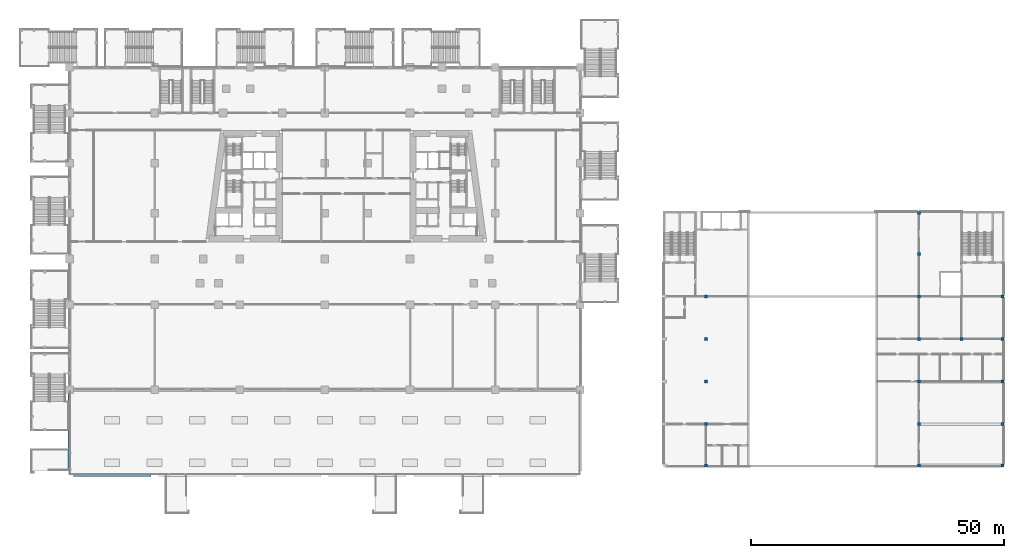
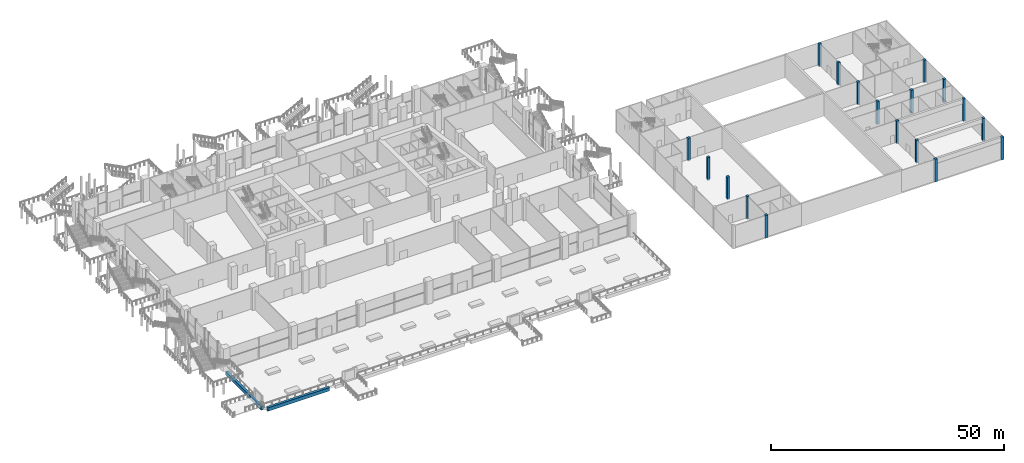
# One storey, part 3 of 47: 18 columns, 2 beams.
"""IFC4 building model written with IfcOpenShell, lengths in metres."""

from ifc_helpers import new_model, si_unit, direction, frame, origin, origin_2d, place, context, subcontext, project, spatial, rectangle, extrude, material, material_profile, profile_set, type_object, element, save


model = new_model("IFC4")

# Units and contexts
model_context = context("Model", 3, precision=1e-05, world=origin(), true_north=direction((0.0, 1.0)))
body_context = subcontext(model_context, "Body", "Model", "MODEL_VIEW")
ifc_project = project(units=[si_unit("LENGTHUNIT", "METRE"), si_unit("AREAUNIT", "SQUARE_METRE"), si_unit("VOLUMEUNIT", "CUBIC_METRE"), si_unit("PLANEANGLEUNIT", "RADIAN"), si_unit("MASSUNIT", "GRAM", prefix="KILO")], contexts=[model_context])

# Site, building, storey
site_placement = place(None, origin())
site = spatial("IfcSite", under=ifc_project, at=site_placement, CompositionType="ELEMENT")
building_placement = place(site_placement, origin())
building = spatial("IfcBuilding", under=site, at=building_placement, Name="Candeia Pilgrim Tower and Theatre", CompositionType="ELEMENT")
storey_placement = place(building_placement, frame((0.0, 0.0, 23.0)))
storey = spatial("IfcBuildingStorey", under=building, at=storey_placement, Name="L03", CompositionType="ELEMENT", Elevation=23.0)

# Columns
ifc_material_1 = material(Name="Concrete C40/50", Category="concrete")
ifc_material_profile_1 = material_profile(ifc_material_1, rectangle(XDim=0.60009765625, YDim=0.60009765625, at=origin_2d()))
ifc_profile_set_1 = profile_set([ifc_material_profile_1], Name="Concrete C40/50")
column_type = type_object("IfcColumnType", Name="Theatre column 600x600", PredefinedType="COLUMN", material=ifc_profile_set_1)
for number, where, z_axis, x_axis, name in (
    (1, (184.39990234375, 66.300048828125, -0.300048828125), (0.0, 0.0, 1.0), (1.0, 0.0, 0.0), "Column TC-A2 L03"),
    (2, (184.39990234375, 74.39990234375, -0.300048828125), (0.0, 0.0, 1.0), (1.0, 0.0, 0.0), "Column TC-B2 L03"),
    (3, (184.39990234375, 82.800048828125, -0.300048828125), (0.0, 0.0, 1.0), (1.0, 0.0, 0.0), "Column TC-C2 L03"),
    (4, (184.39990234375, 91.199951171875, -0.300048828125), (0.0, 0.0, 1.0), (1.0, 0.0, 0.0), "Column TC-D2 L03"),
    (5, (184.39990234375, 99.60009765625, -0.300048828125), (0.0, 0.0, 1.0), (1.0, 0.0, 0.0), "Column TC-E2 L03"),
    (6, (226.39990234375, 66.300048828125, -0.300048828125), (0.0, 0.0, 1.0), (1.0, 0.0, 0.0), "Column TC-A7 L03"),
    (7, (226.39990234375, 74.39990234375, -0.300048828125), (0.0, 0.0, 1.0), (1.0, 0.0, 0.0), "Column TC-B7 L03"),
    (8, (226.39990234375, 82.800048828125, -0.300048828125), (0.0, 0.0, 1.0), (1.0, 0.0, 0.0), "Column TC-C7 L03"),
    (9, (226.39990234375, 91.199951171875, -0.300048828125), (0.0, 0.0, 1.0), (1.0, 0.0, 0.0), "Column TC-D7 L03"),
    (10, (226.39990234375, 99.60009765625, -0.300048828125), (0.0, 0.0, 1.0), (1.0, 0.0, 0.0), "Column TC-E7 L03"),
    (11, (226.39990234375, 108.0, -0.300048828125), (0.0, 0.0, 1.0), (1.0, 0.0, 0.0), "Column TC-F7 L03"),
    (12, (226.39990234375, 116.10009765625, -0.300048828125), (0.0, 0.0, 1.0), (1.0, 0.0, 0.0), "Column TC-G7 L03"),
    (13, (234.800048828125, 91.199951171875, -0.300048828125), (0.0, 0.0, 1.0), (1.0, 0.0, 0.0), "Column TC-D8 L03"),
    (14, (242.89990234375, 66.300048828125, -0.300048828125), (0.0, 0.0, 1.0), (1.0, 0.0, 0.0), "Column TC-A9 L03"),
    (15, (242.89990234375, 74.39990234375, -0.300048828125), (0.0, 0.0, 1.0), (1.0, 0.0, 0.0), "Column TC-B9 L03"),
    (16, (242.89990234375, 82.800048828125, -0.300048828125), (0.0, 0.0, 1.0), (1.0, 0.0, 0.0), "Column TC-C9 L03"),
    (17, (242.89990234375, 91.199951171875, -0.300048828125), (0.0, 0.0, 1.0), (1.0, 0.0, 0.0), "Column TC-D9 L03"),
    (18, (242.89990234375, 99.60009765625, -0.300048828125), (0.0, 0.0, 1.0), (1.0, 0.0, 0.0), "Column TC-E9 L03"),
):
    element("IfcColumn", number, at=place(storey_placement, frame(where, z_axis=z_axis, x_axis=x_axis)), inside=storey, type_object=column_type, Name=name, PredefinedType="COLUMN", context=body_context, shape_type="SweptSolid", body=[
        extrude(rectangle(XDim=0.60009765625, YDim=0.60009765625, at=origin_2d()), origin(), (0.0, 0.0, 1.0), 6.0),
    ])

# Beams
ifc_material_2 = material(Name="Concrete C80/95", Category="concrete")
ifc_material_profile_2 = material_profile(ifc_material_2, rectangle(XDim=0.60009765625, YDim=0.89990234375, at=origin_2d()))
ifc_profile_set_2 = profile_set([ifc_material_profile_2], Name="Concrete C80/95")
beam_type = type_object("IfcBeamType", Name="RC 600x900 C80/95", PredefinedType="BEAM", material=ifc_profile_set_2)
for number, where, z_axis, x_axis, name in (
    (19, (74.85009765625, 64.39990234375, -0.449951171875), (-1.0, 0.0, 0.0), (0.0, -1.0, 0.0), "Spandrel beam L03-32"),
    (20, (58.800048828125, 65.14990234375, -0.449951171875), (0.0, 1.0, 0.0), (-1.0, 0.0, 0.0), "Spandrel beam L03-33"),
):
    element("IfcBeam", number, at=place(storey_placement, frame(where, z_axis=z_axis, x_axis=x_axis)), inside=storey, type_object=beam_type, Name=name, PredefinedType="BEAM", context=body_context, shape_type="SweptSolid", body=[
        extrude(rectangle(XDim=0.60009765625, YDim=0.89990234375, at=origin_2d()), origin(), (0.0, 0.0, 1.0), 15.300048828125),
    ])

save(model, "model.ifc")
